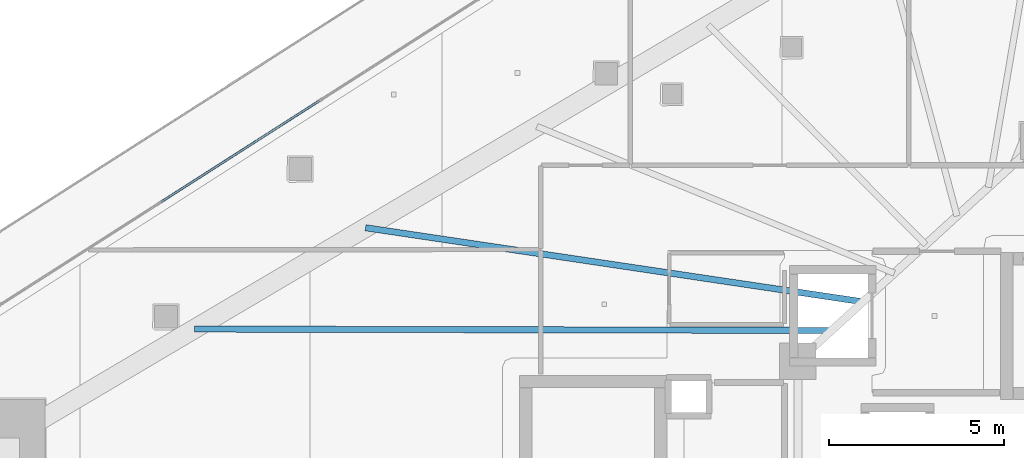
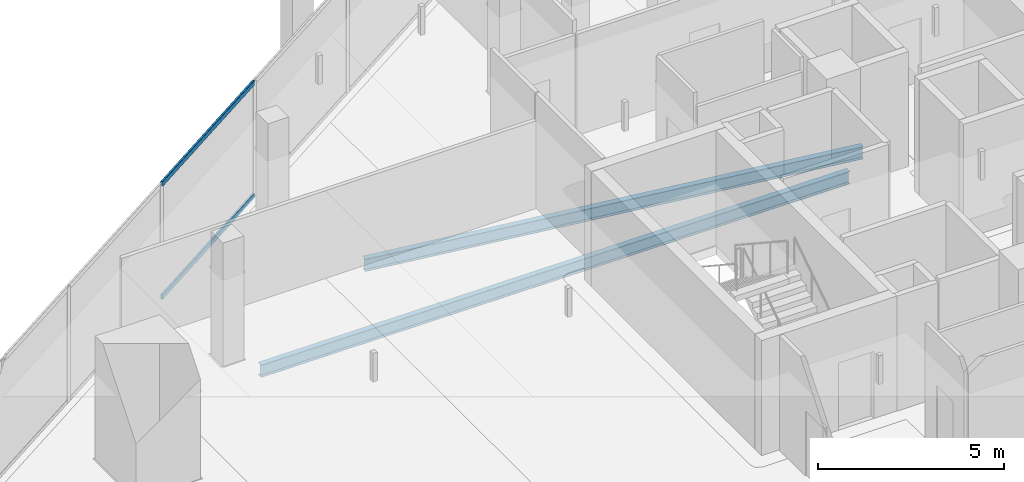
# One storey, part 14 of 42: 2 beams, 2 members, 1 element without a shape of its own.
"""IFC4 building model written with IfcOpenShell, lengths in metres."""

from ifc_helpers import new_model, si_unit, direction, frame, origin, origin_2d, place, context, subcontext, project, spatial, hollow_rectangle, i_section, extrude, material, layer, layer_set, material_profile, profile_set, type_object, element, aggregate, save


model = new_model("IFC4")

# Units and contexts
model_context = context("Model", 3, precision=1e-05, world=origin(), true_north=direction((0.0, 1.0)))
body_context = subcontext(model_context, "Body", "Model", "MODEL_VIEW")
ifc_project = project(units=[si_unit("LENGTHUNIT", "METRE"), si_unit("AREAUNIT", "SQUARE_METRE"), si_unit("VOLUMEUNIT", "CUBIC_METRE"), si_unit("PLANEANGLEUNIT", "RADIAN"), si_unit("MASSUNIT", "GRAM", prefix="KILO")], contexts=[model_context])

# Site, building, storey
site_placement = place(None, origin())
site = spatial("IfcSite", under=ifc_project, at=site_placement, CompositionType="ELEMENT")
building_placement = place(site_placement, origin())
building = spatial("IfcBuilding", under=site, at=building_placement, Name="Qorvath Tower", CompositionType="ELEMENT")
storey_placement = place(building_placement, frame((0.0, 0.0, 121.949951171875)))
storey = spatial("IfcBuildingStorey", under=building, at=storey_placement, Name="L27", CompositionType="ELEMENT", Elevation=121.949951171875)

# Beams
ifc_material_1 = material(Name="Steel ASTM A992 Grade 50", Category="steel")
ifc_material_profile_1 = material_profile(ifc_material_1, i_section(OverallWidth=0.177978515625, OverallDepth=0.406005859375, WebThickness=0.0078125, FlangeThickness=0.0126953125, FilletRadius=0.010986328125, at=origin_2d()), Name="W16x40")
ifc_profile_set_1 = profile_set([ifc_material_profile_1], Name="Steel ASTM A992 Grade 50")
beam_type = type_object("IfcBeamType", Name="BM-FJ3", PredefinedType="JOIST", material=ifc_profile_set_1)
beam_1_placement = place(storey_placement, frame((-29.533935546875, 6.031982421875, -0.483154296875), z_axis=(-0.999997589883, 0.002195501951, 0.0), x_axis=(-0.002195501951, -0.999997589883, 0.0)))
element("IfcBeam", 1, at=beam_1_placement, inside=storey, type_object=beam_type, Name="Composite Floor Joist NW1 L27", PredefinedType="JOIST", context=body_context, shape_type="SweptSolid", body=[
    extrude(i_section(OverallWidth=0.177978515625, OverallDepth=0.406005859375, WebThickness=0.0078125, FlangeThickness=0.0126953125, FilletRadius=0.010986328125, at=origin_2d()), origin(), (0.0, 0.0, 1.0), 18.23681640625),
])
beam_2_placement = place(storey_placement, frame((-28.636962890625, 6.85107421875, -0.483154296875), z_axis=(-0.989092860328, 0.147293291256, 0.0), x_axis=(-0.147293291256, -0.989092860328, 0.0)))
element("IfcBeam", 2, at=beam_2_placement, inside=storey, type_object=beam_type, Name="Composite Floor Joist NW2 L27", PredefinedType="JOIST", context=body_context, shape_type="SweptSolid", body=[
    extrude(i_section(OverallWidth=0.177978515625, OverallDepth=0.406005859375, WebThickness=0.0078125, FlangeThickness=0.0126953125, FilletRadius=0.010986328125, at=origin_2d()), origin(), (0.0, 0.0, 1.0), 14.388916015625),
])

# Curtain wall, members
ifc_material_2 = material(Name="Anodised aluminium and triple low-E glass", Category="aluminium")
ifc_layer = layer(ifc_material_2, 0.179931640625)
ifc_layer_set = layer_set([ifc_layer], Name="CW-SYS-2")
curtain_wall_type = type_object("IfcCurtainWallType", Name="CW-SYS-2", PredefinedType="NOTDEFINED", material=ifc_layer_set)
curtain_wall_placement = place(storey_placement, origin())
curtain_wall = element("IfcCurtainWall", 3, at=curtain_wall_placement, inside=storey, type_object=curtain_wall_type, Name="Curtain Wall CW-2 CW-T-L27-16.3", PredefinedType="NOTDEFINED")
ifc_material_3 = material(Name="Anodised aluminium 6063-T6", Category="aluminium")
ifc_material_profile_2 = material_profile(ifc_material_3, hollow_rectangle(XDim=0.06494140625, YDim=0.159912109375, WallThickness=0.00341796875, InnerFilletRadius=0.00341796875, OuterFilletRadius=0.007080078125, at=origin_2d()), Name="CWT 160x65")
ifc_profile_set_2 = profile_set([ifc_material_profile_2], Name="Anodised aluminium 6063-T6")
member_type = type_object("IfcMemberType", Name="CWT-160", PredefinedType="USERDEFINED", material=ifc_profile_set_2)
member_1_placement = place(storey_placement, frame((-44.200439453125, 12.597412109375, 0.032470703125), z_axis=(-0.842621067422, -0.538506951428, 0.0), x_axis=(0.538506951428, -0.842621067422, 0.0)))
member_1 = element("IfcMember", 4, at=member_1_placement, type_object=member_type, Name="CW-2 transom 3.1", ObjectType="TRANSOM", PredefinedType="USERDEFINED", context=body_context, shape_type="SweptSolid", body=[
    extrude(hollow_rectangle(XDim=0.06494140625, YDim=0.159912109375, WallThickness=0.00341796875, InnerFilletRadius=0.00341796875, OuterFilletRadius=0.007080078125, at=origin_2d()), origin(), (0.0, 0.0, 1.0), 5.361083984375),
])
member_2_placement = place(storey_placement, frame((-44.200439453125, 12.597412109375, 3.737548828125), z_axis=(-0.842621067422, -0.538506951428, 0.0), x_axis=(0.538506951428, -0.842621067422, 0.0)))
member_2 = element("IfcMember", 5, at=member_2_placement, type_object=member_type, Name="CW-2 transom 3.2", ObjectType="TRANSOM", PredefinedType="USERDEFINED", context=body_context, shape_type="SweptSolid", body=[
    extrude(hollow_rectangle(XDim=0.06494140625, YDim=0.159912109375, WallThickness=0.00341796875, InnerFilletRadius=0.00341796875, OuterFilletRadius=0.007080078125, at=origin_2d()), origin(), (0.0, 0.0, 1.0), 5.361083984375),
])
aggregate(curtain_wall, [member_1, member_2])

save(model, "model.ifc")
